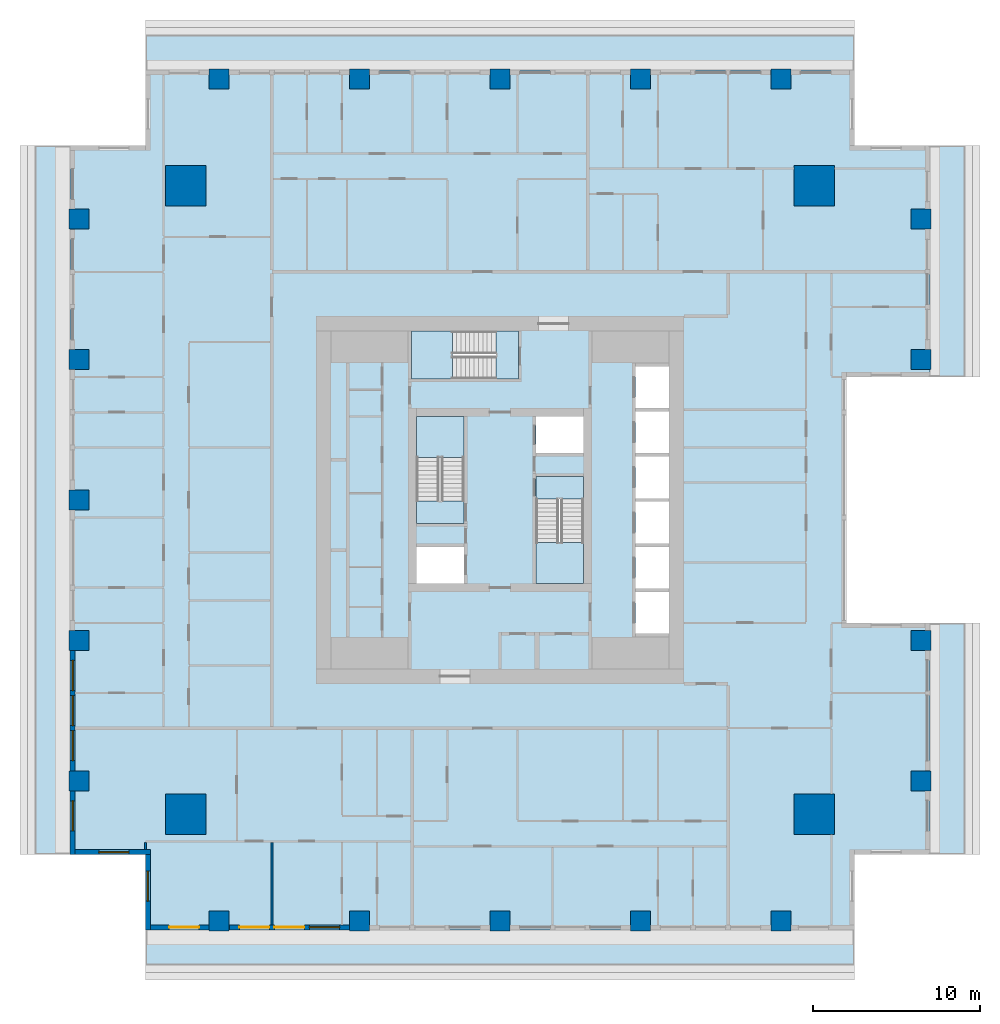
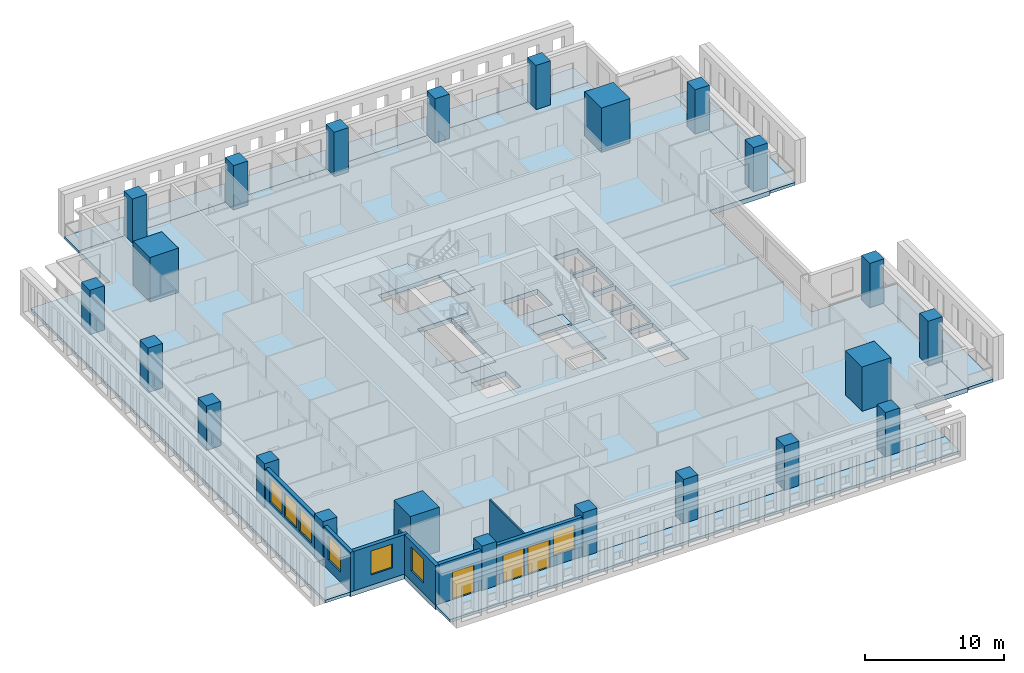
# One storey, part 1 of 16: 23 columns, 12 slabs, 8 walls, 7 windows, 3 doors, 10 openings, 3 elements without a shape of their own.
"""IFC4 building model written with IfcOpenShell, lengths in metres."""

from ifc_helpers import new_model, si_unit, direction, frame, frame_2d, origin, origin_2d, place, context, subcontext, project, spatial, polyline, rectangle, outline, extrude, material, layer, layer_set, material_profile, profile_set, type_object, element, fill, aggregate, save


model = new_model("IFC4")

# Units and contexts
model_context = context("Model", 3, precision=1e-05, world=origin(), true_north=direction((0.0, 1.0)))
body_context = subcontext(model_context, "Body", "Model", "MODEL_VIEW")
ifc_project = project(units=[si_unit("LENGTHUNIT", "METRE"), si_unit("AREAUNIT", "SQUARE_METRE"), si_unit("VOLUMEUNIT", "CUBIC_METRE"), si_unit("PLANEANGLEUNIT", "RADIAN"), si_unit("MASSUNIT", "GRAM", prefix="KILO")], contexts=[model_context])

# Site, building, storey
site_placement = place(None, origin())
site = spatial("IfcSite", under=ifc_project, at=site_placement, CompositionType="ELEMENT")
building_placement = place(site_placement, origin())
building = spatial("IfcBuilding", under=site, at=building_placement, Name="Khepri Terraces", CompositionType="ELEMENT")
storey_placement = place(building_placement, frame((0.0, 0.0, 207.89990234375)))
storey = spatial("IfcBuildingStorey", under=building, at=storey_placement, Name="L49", CompositionType="ELEMENT", Elevation=207.89990234375)

# Columns
ifc_material_1 = material(Name="Concrete C50/60", Category="concrete")
ifc_material_profile_1 = material_profile(ifc_material_1, rectangle(XDim=2.39990234375, YDim=2.39990234375, at=origin_2d()), Name="Concrete C50/60", Category="concrete")
ifc_profile_set_1 = profile_set([ifc_material_profile_1], Name="Concrete C50/60")
column_type_1 = type_object("IfcColumnType", Name="Mega column RC 2400x2400 C50/60", PredefinedType="COLUMN", material=ifc_profile_set_1)
for number, where, z_axis, x_axis, name in (
    (1, (18.800048828125, 18.800048828125, 0.0), (0.0, 0.0, 1.0), (1.0, 0.0, 0.0), "Mega column MEN L49"),
    (2, (18.800048828125, -18.800048828125, 0.0), (0.0, 0.0, 1.0), (1.0, 0.0, 0.0), "Mega column MES L49"),
    (3, (-18.800048828125, 18.800048828125, 0.0), (0.0, 0.0, 1.0), (1.0, 0.0, 0.0), "Mega column MWN L49"),
    (4, (-18.800048828125, -18.800048828125, 0.0), (0.0, 0.0, 1.0), (1.0, 0.0, 0.0), "Mega column MWS L49"),
):
    element("IfcColumn", number, at=place(storey_placement, frame(where, z_axis=z_axis, x_axis=x_axis)), inside=storey, type_object=column_type_1, Name=name, PredefinedType="COLUMN", context=body_context, shape_type="SweptSolid", body=[
        extrude(rectangle(XDim=2.39990234375, YDim=2.39990234375, at=origin_2d()), origin(), (0.0, 0.0, 1.0), 3.900146484375),
    ])
ifc_material_profile_2 = material_profile(ifc_material_1, rectangle(XDim=1.199951171875, YDim=1.199951171875, at=origin_2d()), Name="Concrete C50/60", Category="concrete")
ifc_profile_set_2 = profile_set([ifc_material_profile_2], Name="Concrete C50/60")
column_type_2 = type_object("IfcColumnType", Name="Tower column RC 1200x1200 C50/60", PredefinedType="COLUMN", material=ifc_profile_set_2)
for number, where, z_axis, x_axis, name in (
    (5, (25.199951171875, 8.39990234375, 0.0), (0.0, 0.0, 1.0), (1.0, 0.0, 0.0), "Perimeter column PE+084a L49"),
    (6, (25.199951171875, 16.800048828125, 0.0), (0.0, 0.0, 1.0), (1.0, 0.0, 0.0), "Perimeter column PE+168a L49"),
    (7, (25.199951171875, -8.39990234375, 0.0), (0.0, 0.0, 1.0), (1.0, 0.0, 0.0), "Perimeter column PE-084a L49"),
    (8, (25.199951171875, -16.800048828125, 0.0), (0.0, 0.0, 1.0), (1.0, 0.0, 0.0), "Perimeter column PE-168a L49"),
    (9, (0.0, 25.199951171875, 0.0), (0.0, 0.0, 1.0), (1.0, 0.0, 0.0), "Perimeter column PN+000b L49"),
    (10, (-8.39990234375, 25.199951171875, 0.0), (0.0, 0.0, 1.0), (1.0, 0.0, 0.0), "Perimeter column PN+084b L49"),
    (11, (-16.800048828125, 25.199951171875, 0.0), (0.0, 0.0, 1.0), (1.0, 0.0, 0.0), "Perimeter column PN+168a L49"),
    (12, (8.39990234375, 25.199951171875, 0.0), (0.0, 0.0, 1.0), (1.0, 0.0, 0.0), "Perimeter column PN-084b L49"),
    (13, (16.800048828125, 25.199951171875, 0.0), (0.0, 0.0, 1.0), (1.0, 0.0, 0.0), "Perimeter column PN-168a L49"),
    (14, (0.0, -25.199951171875, 0.0), (0.0, 0.0, 1.0), (1.0, 0.0, 0.0), "Perimeter column PS+000b L49"),
    (15, (8.39990234375, -25.199951171875, 0.0), (0.0, 0.0, 1.0), (1.0, 0.0, 0.0), "Perimeter column PS+084b L49"),
    (16, (16.800048828125, -25.199951171875, 0.0), (0.0, 0.0, 1.0), (1.0, 0.0, 0.0), "Perimeter column PS+168a L49"),
    (17, (-8.39990234375, -25.199951171875, 0.0), (0.0, 0.0, 1.0), (1.0, 0.0, 0.0), "Perimeter column PS-084b L49"),
    (18, (-16.800048828125, -25.199951171875, 0.0), (0.0, 0.0, 1.0), (1.0, 0.0, 0.0), "Perimeter column PS-168a L49"),
    (19, (-25.199951171875, 0.0, 0.0), (0.0, 0.0, 1.0), (1.0, 0.0, 0.0), "Perimeter column PW+000b L49"),
    (20, (-25.199951171875, -8.39990234375, 0.0), (0.0, 0.0, 1.0), (1.0, 0.0, 0.0), "Perimeter column PW+084b L49"),
    (21, (-25.199951171875, -16.800048828125, 0.0), (0.0, 0.0, 1.0), (1.0, 0.0, 0.0), "Perimeter column PW+168a L49"),
    (22, (-25.199951171875, 8.39990234375, 0.0), (0.0, 0.0, 1.0), (1.0, 0.0, 0.0), "Perimeter column PW-084b L49"),
    (23, (-25.199951171875, 16.800048828125, 0.0), (0.0, 0.0, 1.0), (1.0, 0.0, 0.0), "Perimeter column PW-168a L49"),
):
    element("IfcColumn", number, at=place(storey_placement, frame(where, z_axis=z_axis, x_axis=x_axis)), inside=storey, type_object=column_type_2, Name=name, PredefinedType="COLUMN", context=body_context, shape_type="SweptSolid", body=[
        extrude(rectangle(XDim=1.199951171875, YDim=1.199951171875, at=origin_2d()), origin(), (0.0, 0.0, 1.0), 3.900146484375),
    ])

# Slabs
ifc_material_2 = material(Name="Concrete C40/50", Category="concrete")
ifc_layer_1 = layer(ifc_material_2, 0.419921875, Name="Concrete C40/50", Category="concrete")
ifc_layer_set_1 = layer_set([ifc_layer_1], Name="Concrete C40/50")
slab_type_1 = type_object("IfcSlabType", Name="Flat plate 420", PredefinedType="FLOOR", material=ifc_layer_set_1)
slab_1_placement = place(storey_placement, frame((0.0, 0.0, -0.419921875)))
element("IfcSlab", 24, at=slab_1_placement, inside=storey, type_object=slab_type_1, Name="Floor slab F01 L49", PredefinedType="FLOOR", context=body_context, shape_type="SweptSolid", body=[
    extrude(outline(polyline([(25.719970703125, 7.35009765625), (20.719970703125, 7.35009765625), (20.719970703125, -7.35009765625), (25.719970703125, -7.35009765625), (25.719970703125, -21.219970703125), (21.219970703125, -21.219970703125), (21.219970703125, -25.719970703125), (-21.219970703125, -25.719970703125), (-21.219970703125, -21.219970703125), (-25.719970703125, -21.219970703125), (-25.719970703125, 21.219970703125), (-21.219970703125, 21.219970703125), (-21.219970703125, 25.719970703125), (21.219970703125, 25.719970703125), (21.219970703125, 21.219970703125), (25.719970703125, 21.219970703125), (25.719970703125, 7.35009765625)]), holes=[polyline([(2.14990234375, 2.800048828125), (5.0, 2.800048828125), (5.0, 5.0), (2.14990234375, 5.0), (2.14990234375, 2.800048828125)]), polyline([(-5.0, -2.800048828125), (-5.0, -5.0), (-2.14990234375, -5.0), (-2.14990234375, -2.800048828125), (-5.0, -2.800048828125)]), polyline([(10.10009765625, -5.5), (8.10009765625, -5.5), (8.10009765625, -8.0), (10.10009765625, -8.0), (10.10009765625, -5.5)]), polyline([(10.10009765625, -5.300048828125), (10.10009765625, -2.800048828125), (8.10009765625, -2.800048828125), (8.10009765625, -5.300048828125), (10.10009765625, -5.300048828125)]), polyline([(8.10009765625, -2.60009765625), (10.10009765625, -2.60009765625), (10.10009765625, -0.10009765625), (8.10009765625, -0.10009765625), (8.10009765625, -2.60009765625)]), polyline([(8.10009765625, 2.60009765625), (8.10009765625, 0.10009765625), (10.10009765625, 0.10009765625), (10.10009765625, 2.60009765625), (8.10009765625, 2.60009765625)]), polyline([(10.10009765625, 5.300048828125), (8.10009765625, 5.300048828125), (8.10009765625, 2.800048828125), (10.10009765625, 2.800048828125), (10.10009765625, 5.300048828125)]), polyline([(10.10009765625, 5.5), (10.10009765625, 8.0), (8.10009765625, 8.0), (8.10009765625, 5.5), (10.10009765625, 5.5)]), polyline([(-5.0, -1.39990234375), (-2.14990234375, -1.39990234375), (-2.14990234375, 5.0), (-5.0, 5.0), (-5.0, -1.39990234375)]), polyline([(5.0, -5.0), (5.0, 1.39990234375), (2.14990234375, 1.39990234375), (2.14990234375, -5.0), (5.0, -5.0)]), polyline([(-5.300048828125, 10.10009765625), (-5.300048828125, 7.25), (1.10009765625, 7.25), (1.10009765625, 10.10009765625), (-5.300048828125, 10.10009765625)])]), origin(), (0.0, 0.0, 1.0), 0.419921875),
])
ifc_material_3 = material(Name="Precast concrete C50/60 warm stone", Category="masonry")
ifc_layer_2 = layer(ifc_material_3, 0.25, Name="Precast concrete C50/60 warm stone", Category="masonry")
ifc_layer_set_2 = layer_set([ifc_layer_2], Name="Precast concrete C50/60 warm stone")
slab_type_2 = type_object("IfcSlabType", Name="SLB-BALCONY-250", PredefinedType="FLOOR", material=ifc_layer_set_2)
slab_2_placement = place(storey_placement, frame((0.0, 0.0, -0.25)))
element("IfcSlab", 25, at=slab_2_placement, inside=storey, type_object=slab_type_2, Name="Balcony slab L49 S", PredefinedType="FLOOR", context=body_context, shape_type="SweptSolid", body=[
    extrude(outline(polyline([(-17.39990234375, -25.719970703125), (-21.219970703125, -25.719970703125), (-21.219970703125, -27.820068359375), (21.219970703125, -27.820068359375), (21.219970703125, -25.719970703125), (17.39990234375, -25.719970703125), (17.39990234375, -25.800048828125), (16.199951171875, -25.800048828125), (16.199951171875, -25.719970703125), (9.0, -25.719970703125), (9.0, -25.800048828125), (7.800048828125, -25.800048828125), (7.800048828125, -25.719970703125), (0.60009765625, -25.719970703125), (0.60009765625, -25.800048828125), (-0.60009765625, -25.800048828125), (-0.60009765625, -25.719970703125), (-7.800048828125, -25.719970703125), (-7.800048828125, -25.800048828125), (-9.0, -25.800048828125), (-9.0, -25.719970703125), (-16.199951171875, -25.719970703125), (-16.199951171875, -25.800048828125), (-17.39990234375, -25.800048828125), (-17.39990234375, -25.719970703125)])), origin(), (0.0, 0.0, 1.0), 0.25),
])
slab_3_placement = place(storey_placement, frame((0.0, 0.0, -0.25)))
element("IfcSlab", 26, at=slab_3_placement, inside=storey, type_object=slab_type_2, Name="Balcony slab L49 E", PredefinedType="FLOOR", context=body_context, shape_type="SweptSolid", body=[
    extrude(outline(polyline([(25.719970703125, -17.39990234375), (25.719970703125, -21.219970703125), (27.820068359375, -21.219970703125), (27.820068359375, -7.35009765625), (25.719970703125, -7.35009765625), (25.719970703125, -7.800048828125), (25.800048828125, -7.800048828125), (25.800048828125, -9.0), (25.719970703125, -9.0), (25.719970703125, -16.199951171875), (25.800048828125, -16.199951171875), (25.800048828125, -17.39990234375), (25.719970703125, -17.39990234375)])), origin(), (0.0, 0.0, 1.0), 0.25),
])
slab_4_placement = place(storey_placement, frame((0.0, 0.0, -0.25)))
element("IfcSlab", 27, at=slab_4_placement, inside=storey, type_object=slab_type_2, Name="Balcony slab L49 E", PredefinedType="FLOOR", context=body_context, shape_type="SweptSolid", body=[
    extrude(outline(polyline([(25.719970703125, 7.800048828125), (25.719970703125, 7.35009765625), (27.820068359375, 7.35009765625), (27.820068359375, 21.219970703125), (25.719970703125, 21.219970703125), (25.719970703125, 17.39990234375), (25.800048828125, 17.39990234375), (25.800048828125, 16.199951171875), (25.719970703125, 16.199951171875), (25.719970703125, 9.0), (25.800048828125, 9.0), (25.800048828125, 7.800048828125), (25.719970703125, 7.800048828125)])), origin(), (0.0, 0.0, 1.0), 0.25),
])
slab_5_placement = place(storey_placement, frame((0.0, 0.0, -0.25)))
element("IfcSlab", 28, at=slab_5_placement, inside=storey, type_object=slab_type_2, Name="Balcony slab L49 N", PredefinedType="FLOOR", context=body_context, shape_type="SweptSolid", body=[
    extrude(outline(polyline([(17.39990234375, 25.719970703125), (21.219970703125, 25.719970703125), (21.219970703125, 27.820068359375), (-21.219970703125, 27.820068359375), (-21.219970703125, 25.719970703125), (-17.39990234375, 25.719970703125), (-17.39990234375, 25.800048828125), (-16.199951171875, 25.800048828125), (-16.199951171875, 25.719970703125), (-9.0, 25.719970703125), (-9.0, 25.800048828125), (-7.800048828125, 25.800048828125), (-7.800048828125, 25.719970703125), (-0.60009765625, 25.719970703125), (-0.60009765625, 25.800048828125), (0.60009765625, 25.800048828125), (0.60009765625, 25.719970703125), (7.800048828125, 25.719970703125), (7.800048828125, 25.800048828125), (9.0, 25.800048828125), (9.0, 25.719970703125), (16.199951171875, 25.719970703125), (16.199951171875, 25.800048828125), (17.39990234375, 25.800048828125), (17.39990234375, 25.719970703125)])), origin(), (0.0, 0.0, 1.0), 0.25),
])
slab_6_placement = place(storey_placement, frame((0.0, 0.0, -0.25)))
element("IfcSlab", 29, at=slab_6_placement, inside=storey, type_object=slab_type_2, Name="Balcony slab L49 W", PredefinedType="FLOOR", context=body_context, shape_type="SweptSolid", body=[
    extrude(outline(polyline([(-25.719970703125, 17.39990234375), (-25.719970703125, 21.219970703125), (-27.820068359375, 21.219970703125), (-27.820068359375, -21.219970703125), (-25.719970703125, -21.219970703125), (-25.719970703125, -17.39990234375), (-25.800048828125, -17.39990234375), (-25.800048828125, -16.199951171875), (-25.719970703125, -16.199951171875), (-25.719970703125, -9.0), (-25.800048828125, -9.0), (-25.800048828125, -7.800048828125), (-25.719970703125, -7.800048828125), (-25.719970703125, -0.60009765625), (-25.800048828125, -0.60009765625), (-25.800048828125, 0.60009765625), (-25.719970703125, 0.60009765625), (-25.719970703125, 7.800048828125), (-25.800048828125, 7.800048828125), (-25.800048828125, 9.0), (-25.719970703125, 9.0), (-25.719970703125, 16.199951171875), (-25.800048828125, 16.199951171875), (-25.800048828125, 17.39990234375), (-25.719970703125, 17.39990234375)])), origin(), (0.0, 0.0, 1.0), 0.25),
])

# Stair, slabs
stair_type = type_object("IfcStairType", Name="STAIR-RC-22R", PredefinedType="HALF_TURN_STAIR", material=ifc_material_2)
stair_1_placement = place(storey_placement, origin())
stair_1 = element("IfcStair", 30, at=stair_1_placement, inside=storey, type_object=stair_type, Name="L49 Exit Stair ST-1", PredefinedType="HALF_TURN_STAIR")
ifc_layer_3 = layer(ifc_material_2, 0.199951171875, Name="Concrete C40/50", Category="concrete")
ifc_layer_set_3 = layer_set([ifc_layer_3], Name="Concrete C40/50")
slab_type_3 = type_object("IfcSlabType", Name="SLB-CORE-LANDING", PredefinedType="LANDING", material=ifc_layer_set_3)
slab_7_placement = place(storey_placement, frame((0.0, 0.0, -0.199951171875)))
slab_7 = element("IfcSlab", 31, at=slab_7_placement, type_object=slab_type_3, Name="ST-1 landing 1", PredefinedType="LANDING", context=body_context, shape_type="SweptSolid", body=[
    extrude(outline(polyline([(-2.14990234375, -1.39990234375), (-2.14990234375, -0.050048828125), (-5.0, -0.050048828125), (-5.0, -1.39990234375), (-2.14990234375, -1.39990234375)])), origin(), (0.0, 0.0, 1.0), 0.199951171875),
])
slab_8_placement = place(storey_placement, frame((0.0, 0.0, 1.75)))
slab_8 = element("IfcSlab", 32, at=slab_8_placement, type_object=slab_type_3, Name="ST-1 landing 2", PredefinedType="LANDING", context=body_context, shape_type="SweptSolid", body=[
    extrude(outline(polyline([(-2.14990234375, 2.550048828125), (-2.14990234375, 5.0), (-5.0, 5.0), (-5.0, 2.550048828125), (-2.14990234375, 2.550048828125)])), origin(), (0.0, 0.0, 1.0), 0.2001953125),
])
aggregate(stair_1, [slab_7, slab_8])

stair_2_placement = place(storey_placement, origin())
stair_2 = element("IfcStair", 33, at=stair_2_placement, inside=storey, type_object=stair_type, Name="L49 Exit Stair ST-2", PredefinedType="HALF_TURN_STAIR")
slab_9_placement = place(storey_placement, frame((0.0, 0.0, -0.199951171875)))
slab_9 = element("IfcSlab", 34, at=slab_9_placement, type_object=slab_type_3, Name="ST-2 landing 1", PredefinedType="LANDING", context=body_context, shape_type="SweptSolid", body=[
    extrude(outline(polyline([(2.14990234375, 1.39990234375), (2.14990234375, 0.050048828125), (5.0, 0.050048828125), (5.0, 1.39990234375), (2.14990234375, 1.39990234375)])), origin(), (0.0, 0.0, 1.0), 0.199951171875),
])
slab_10_placement = place(storey_placement, frame((0.0, 0.0, 1.75)))
slab_10 = element("IfcSlab", 35, at=slab_10_placement, type_object=slab_type_3, Name="ST-2 landing 2", PredefinedType="LANDING", context=body_context, shape_type="SweptSolid", body=[
    extrude(outline(polyline([(2.14990234375, -2.550048828125), (2.14990234375, -5.0), (5.0, -5.0), (5.0, -2.550048828125), (2.14990234375, -2.550048828125)])), origin(), (0.0, 0.0, 1.0), 0.2001953125),
])
aggregate(stair_2, [slab_9, slab_10])

stair_3_placement = place(storey_placement, origin())
stair_3 = element("IfcStair", 36, at=stair_3_placement, inside=storey, type_object=stair_type, Name="L49 Exit Stair ST-3", PredefinedType="HALF_TURN_STAIR")
slab_11_placement = place(storey_placement, frame((0.0, 0.0, -0.199951171875)))
slab_11 = element("IfcSlab", 37, at=slab_11_placement, type_object=slab_type_3, Name="ST-3 landing 1", PredefinedType="LANDING", context=body_context, shape_type="SweptSolid", body=[
    extrude(outline(polyline([(1.10009765625, 10.10009765625), (-0.25, 10.10009765625), (-0.25, 7.25), (1.10009765625, 7.25), (1.10009765625, 10.10009765625)])), origin(), (0.0, 0.0, 1.0), 0.199951171875),
])
slab_12_placement = place(storey_placement, frame((0.0, 0.0, 1.75)))
slab_12 = element("IfcSlab", 38, at=slab_12_placement, type_object=slab_type_3, Name="ST-3 landing 2", PredefinedType="LANDING", context=body_context, shape_type="SweptSolid", body=[
    extrude(outline(polyline([(-2.85009765625, 10.10009765625), (-5.300048828125, 10.10009765625), (-5.300048828125, 7.25), (-2.85009765625, 7.25), (-2.85009765625, 10.10009765625)])), origin(), (0.0, 0.0, 1.0), 0.2001953125),
])
aggregate(stair_3, [slab_11, slab_12])

# Wall, openings, windows
ifc_layer_4 = layer(ifc_material_3, 0.300048828125, Name="Precast concrete C50/60 warm stone", Category="masonry")
ifc_layer_set_4 = layer_set([ifc_layer_4], Name="Precast concrete C50/60 warm stone")
wall_type_1 = type_object("IfcWallType", Name="WL-EXT-PRECAST-300", PredefinedType="STANDARD", material=ifc_layer_set_4)
wall_1_placement = place(storey_placement, frame((-25.570068359375, -9.0, 0.0), z_axis=(0.0, 0.0, 1.0), x_axis=(0.0, -1.0, 0.0)))
wall_1 = element("IfcWall", 39, at=wall_1_placement, inside=storey, type_object=wall_type_1, Name="External wall L49 W", PredefinedType="STANDARD", context=body_context, shape_type="SweptSolid", body=[
    extrude(rectangle(XDim=7.199951171875, YDim=0.300048828125, at=frame_2d((3.60009765625, 0.0))), origin(), (0.0, 0.0, 1.0), 3.47998046875),
])
opening_1_placement = place(wall_1_placement, frame((0.60009765625, 0.0, 0.89990234375)))
opening_1 = element("IfcOpeningElement", 40, at=opening_1_placement, cuts=wall_1, Name="Opening W1", PredefinedType="OPENING", context=body_context, shape_type="SweptSolid", body=[
    extrude(rectangle(XDim=1.800048828125, YDim=2.10009765625, at=frame_2d((0.89990234375, 1.050048828125))), frame((0.0, 0.16015625, 0.0), z_axis=(0.0, -1.0, 0.0), x_axis=(1.0, 0.0, 0.0)), (0.0, 0.0, 1.0), 0.320068359375),
])
opening_2_placement = place(wall_1_placement, frame((2.699951171875, 0.0, 0.89990234375)))
opening_2 = element("IfcOpeningElement", 41, at=opening_2_placement, cuts=wall_1, Name="Opening W1", PredefinedType="OPENING", context=body_context, shape_type="SweptSolid", body=[
    extrude(rectangle(XDim=1.800048828125, YDim=2.10009765625, at=frame_2d((0.89990234375, 1.050048828125))), frame((0.0, 0.16015625, 0.0), z_axis=(0.0, -1.0, 0.0), x_axis=(1.0, 0.0, 0.0)), (0.0, 0.0, 1.0), 0.320068359375),
])
opening_3_placement = place(wall_1_placement, frame((4.800048828125, 0.0, 0.89990234375)))
opening_3 = element("IfcOpeningElement", 42, at=opening_3_placement, cuts=wall_1, Name="Opening W1", PredefinedType="OPENING", context=body_context, shape_type="SweptSolid", body=[
    extrude(rectangle(XDim=1.800048828125, YDim=2.10009765625, at=frame_2d((0.89990234375, 1.050048828125))), frame((0.0, 0.16015625, 0.0), z_axis=(0.0, -1.0, 0.0), x_axis=(1.0, 0.0, 0.0)), (0.0, 0.0, 1.0), 0.320068359375),
])
ifc_material_4 = material(Name="Clear glass", Category="glass")
window_type = type_object("IfcWindowType", Name="WIN-RES-1800x2100", PartitioningType="SINGLE_PANEL", PredefinedType="WINDOW", material=ifc_material_4)
window_1_placement = place(opening_1_placement, origin())
window_1 = element("IfcWindow", 43, at=window_1_placement, inside=storey, type_object=window_type, Name="Window L49 W", OverallHeight=2.10009765625, OverallWidth=1.800048828125, PartitioningType="SINGLE_PANEL", PredefinedType="WINDOW", context=body_context, shape_type="SweptSolid", body=[
    extrude(rectangle(XDim=1.800048828125, YDim=2.10009765625, at=frame_2d((0.89990234375, 1.050048828125))), frame((0.0, 0.030029296875, 0.0), z_axis=(0.0, -1.0, 0.0), x_axis=(1.0, 0.0, 0.0)), (0.0, 0.0, 1.0), 0.06005859375),
])
fill(opening_1, window_1)
window_2_placement = place(opening_2_placement, origin())
window_2 = element("IfcWindow", 44, at=window_2_placement, inside=storey, type_object=window_type, Name="Window L49 W", OverallHeight=2.10009765625, OverallWidth=1.800048828125, PartitioningType="SINGLE_PANEL", PredefinedType="WINDOW", context=body_context, shape_type="SweptSolid", body=[
    extrude(rectangle(XDim=1.800048828125, YDim=2.10009765625, at=frame_2d((0.89990234375, 1.050048828125))), frame((0.0, 0.030029296875, 0.0), z_axis=(0.0, -1.0, 0.0), x_axis=(1.0, 0.0, 0.0)), (0.0, 0.0, 1.0), 0.06005859375),
])
fill(opening_2, window_2)
window_3_placement = place(opening_3_placement, origin())
window_3 = element("IfcWindow", 45, at=window_3_placement, inside=storey, type_object=window_type, Name="Window L49 W", OverallHeight=2.10009765625, OverallWidth=1.800048828125, PartitioningType="SINGLE_PANEL", PredefinedType="WINDOW", context=body_context, shape_type="SweptSolid", body=[
    extrude(rectangle(XDim=1.800048828125, YDim=2.10009765625, at=frame_2d((0.89990234375, 1.050048828125))), frame((0.0, 0.030029296875, 0.0), z_axis=(0.0, -1.0, 0.0), x_axis=(1.0, 0.0, 0.0)), (0.0, 0.0, 1.0), 0.06005859375),
])
fill(opening_3, window_3)

# Wall, opening, window
wall_2_placement = place(storey_placement, frame((-25.570068359375, -17.39990234375, 0.0), z_axis=(0.0, 0.0, 1.0), x_axis=(0.0, -1.0, 0.0)))
wall_2 = element("IfcWall", 46, at=wall_2_placement, inside=storey, type_object=wall_type_1, Name="External wall L49 W", PredefinedType="STANDARD", context=body_context, shape_type="SweptSolid", body=[
    extrude(rectangle(XDim=3.820068359375, YDim=0.300048828125, at=frame_2d((1.91015625, 0.0))), origin(), (0.0, 0.0, 1.0), 3.47998046875),
])
opening_4_placement = place(wall_2_placement, frame((0.60009765625, 0.0, 0.89990234375)))
opening_4 = element("IfcOpeningElement", 47, at=opening_4_placement, cuts=wall_2, Name="Opening W1", PredefinedType="OPENING", context=body_context, shape_type="SweptSolid", body=[
    extrude(rectangle(XDim=1.800048828125, YDim=2.10009765625, at=frame_2d((0.89990234375, 1.050048828125))), frame((0.0, 0.16015625, 0.0), z_axis=(0.0, -1.0, 0.0), x_axis=(1.0, 0.0, 0.0)), (0.0, 0.0, 1.0), 0.320068359375),
])
window_4_placement = place(opening_4_placement, origin())
window_4 = element("IfcWindow", 48, at=window_4_placement, inside=storey, type_object=window_type, Name="Window L49 W", OverallHeight=2.10009765625, OverallWidth=1.800048828125, PartitioningType="SINGLE_PANEL", PredefinedType="WINDOW", context=body_context, shape_type="SweptSolid", body=[
    extrude(rectangle(XDim=1.800048828125, YDim=2.10009765625, at=frame_2d((0.89990234375, 1.050048828125))), frame((0.0, 0.030029296875, 0.0), z_axis=(0.0, -1.0, 0.0), x_axis=(1.0, 0.0, 0.0)), (0.0, 0.0, 1.0), 0.06005859375),
])
fill(opening_4, window_4)

wall_3_placement = place(storey_placement, frame((-25.419921875, -21.070068359375, 0.0), z_axis=(0.0, 0.0, 1.0), x_axis=(1.0, 0.0, 0.0)))
wall_3 = element("IfcWall", 49, at=wall_3_placement, inside=storey, type_object=wall_type_1, Name="External wall L49 S", PredefinedType="STANDARD", context=body_context, shape_type="SweptSolid", body=[
    extrude(rectangle(XDim=4.5, YDim=0.300048828125, at=frame_2d((2.25, 0.0))), origin(), (0.0, 0.0, 1.0), 3.47998046875),
])
opening_5_placement = place(wall_3_placement, frame((1.419921875, 0.0, 0.89990234375)))
opening_5 = element("IfcOpeningElement", 50, at=opening_5_placement, cuts=wall_3, Name="Opening W1", PredefinedType="OPENING", context=body_context, shape_type="SweptSolid", body=[
    extrude(rectangle(XDim=1.800048828125, YDim=2.10009765625, at=frame_2d((0.89990234375, 1.050048828125))), frame((0.0, 0.16015625, 0.0), z_axis=(0.0, -1.0, 0.0), x_axis=(1.0, 0.0, 0.0)), (0.0, 0.0, 1.0), 0.320068359375),
])
window_5_placement = place(opening_5_placement, origin())
window_5 = element("IfcWindow", 51, at=window_5_placement, inside=storey, type_object=window_type, Name="Window L49 S", OverallHeight=2.10009765625, OverallWidth=1.800048828125, PartitioningType="SINGLE_PANEL", PredefinedType="WINDOW", context=body_context, shape_type="SweptSolid", body=[
    extrude(rectangle(XDim=1.800048828125, YDim=2.10009765625, at=frame_2d((0.89990234375, 1.050048828125))), frame((0.0, 0.030029296875, 0.0), z_axis=(0.0, -1.0, 0.0), x_axis=(1.0, 0.0, 0.0)), (0.0, 0.0, 1.0), 0.06005859375),
])
fill(opening_5, window_5)

wall_4_placement = place(storey_placement, frame((-21.070068359375, -21.219970703125, 0.0), z_axis=(0.0, 0.0, 1.0), x_axis=(0.0, -1.0, 0.0)))
wall_4 = element("IfcWall", 52, at=wall_4_placement, inside=storey, type_object=wall_type_1, Name="External wall L49 W", PredefinedType="STANDARD", context=body_context, shape_type="SweptSolid", body=[
    extrude(rectangle(XDim=4.5, YDim=0.300048828125, at=frame_2d((2.25, 0.0))), origin(), (0.0, 0.0, 1.0), 3.47998046875),
])
opening_6_placement = place(wall_4_placement, frame((0.97998046875, 0.0, 0.89990234375)))
opening_6 = element("IfcOpeningElement", 53, at=opening_6_placement, cuts=wall_4, Name="Opening W1", PredefinedType="OPENING", context=body_context, shape_type="SweptSolid", body=[
    extrude(rectangle(XDim=1.800048828125, YDim=2.10009765625, at=frame_2d((0.89990234375, 1.050048828125))), frame((0.0, 0.16015625, 0.0), z_axis=(0.0, -1.0, 0.0), x_axis=(1.0, 0.0, 0.0)), (0.0, 0.0, 1.0), 0.320068359375),
])
window_6_placement = place(opening_6_placement, origin())
window_6 = element("IfcWindow", 54, at=window_6_placement, inside=storey, type_object=window_type, Name="Window L49 W", OverallHeight=2.10009765625, OverallWidth=1.800048828125, PartitioningType="SINGLE_PANEL", PredefinedType="WINDOW", context=body_context, shape_type="SweptSolid", body=[
    extrude(rectangle(XDim=1.800048828125, YDim=2.10009765625, at=frame_2d((0.89990234375, 1.050048828125))), frame((0.0, 0.030029296875, 0.0), z_axis=(0.0, -1.0, 0.0), x_axis=(1.0, 0.0, 0.0)), (0.0, 0.0, 1.0), 0.06005859375),
])
fill(opening_6, window_6)

# Wall, opening, door
wall_5_placement = place(storey_placement, frame((-20.919921875, -25.570068359375, 0.0), z_axis=(0.0, 0.0, 1.0), x_axis=(1.0, 0.0, 0.0)))
wall_5 = element("IfcWall", 55, at=wall_5_placement, inside=storey, type_object=wall_type_1, Name="External wall L49 S", PredefinedType="STANDARD", context=body_context, shape_type="SweptSolid", body=[
    extrude(rectangle(XDim=3.52001953125, YDim=0.300048828125, at=frame_2d((1.760009765625, 0.0))), origin(), (0.0, 0.0, 1.0), 3.47998046875),
])
opening_7_placement = place(wall_5_placement, frame((1.1201171875, 0.0, 0.0)))
opening_7 = element("IfcOpeningElement", 56, at=opening_7_placement, cuts=wall_5, Name="Opening ED-L49-13", PredefinedType="OPENING", context=body_context, shape_type="SweptSolid", body=[
    extrude(rectangle(XDim=1.800048828125, YDim=2.39990234375, at=frame_2d((0.89990234375, 1.199951171875))), frame((0.0, 0.16015625, 0.0), z_axis=(0.0, -1.0, 0.0), x_axis=(1.0, 0.0, 0.0)), (0.0, 0.0, 1.0), 0.320068359375),
])
ifc_material_5 = material(Name="Anodised aluminium bronze glazed door", Category="aluminium")
door_type = type_object("IfcDoorType", Name="DR-BAL-SLIDE-1800x2400", OperationType="NOTDEFINED", PredefinedType="DOOR", material=ifc_material_5)
door_1_placement = place(opening_7_placement, origin())
door_1 = element("IfcDoor", 57, at=door_1_placement, inside=storey, type_object=door_type, Name="Balcony door L49 S", OperationType="SLIDING_TO_RIGHT", OverallHeight=2.39990234375, OverallWidth=1.800048828125, PredefinedType="DOOR", context=body_context, shape_type="SweptSolid", body=[
    extrude(rectangle(XDim=1.800048828125, YDim=2.39990234375, at=frame_2d((0.89990234375, 1.199951171875))), frame((0.0, 0.02490234375, 0.0), z_axis=(0.0, -1.0, 0.0), x_axis=(1.0, 0.0, 0.0)), (0.0, 0.0, 1.0), 0.050048828125),
])
fill(opening_7, door_1)

# Wall, openings, doors, window
wall_6_placement = place(storey_placement, frame((-16.199951171875, -25.570068359375, 0.0), z_axis=(0.0, 0.0, 1.0), x_axis=(1.0, 0.0, 0.0)))
wall_6 = element("IfcWall", 58, at=wall_6_placement, inside=storey, type_object=wall_type_1, Name="External wall L49 S", PredefinedType="STANDARD", context=body_context, shape_type="SweptSolid", body=[
    extrude(rectangle(XDim=7.199951171875, YDim=0.300048828125, at=frame_2d((3.60009765625, 0.0))), origin(), (0.0, 0.0, 1.0), 3.47998046875),
])
opening_8_placement = place(wall_6_placement, frame((0.60009765625, 0.0, 0.0)))
opening_8 = element("IfcOpeningElement", 59, at=opening_8_placement, cuts=wall_6, Name="Opening ED-L49-14", PredefinedType="OPENING", context=body_context, shape_type="SweptSolid", body=[
    extrude(rectangle(XDim=1.800048828125, YDim=2.39990234375, at=frame_2d((0.89990234375, 1.199951171875))), frame((0.0, 0.16015625, 0.0), z_axis=(0.0, -1.0, 0.0), x_axis=(1.0, 0.0, 0.0)), (0.0, 0.0, 1.0), 0.320068359375),
])
opening_9_placement = place(wall_6_placement, frame((2.699951171875, 0.0, 0.0)))
opening_9 = element("IfcOpeningElement", 60, at=opening_9_placement, cuts=wall_6, Name="Opening ED-L49-15", PredefinedType="OPENING", context=body_context, shape_type="SweptSolid", body=[
    extrude(rectangle(XDim=1.800048828125, YDim=2.39990234375, at=frame_2d((0.89990234375, 1.199951171875))), frame((0.0, 0.16015625, 0.0), z_axis=(0.0, -1.0, 0.0), x_axis=(1.0, 0.0, 0.0)), (0.0, 0.0, 1.0), 0.320068359375),
])
opening_10_placement = place(wall_6_placement, frame((4.800048828125, 0.0, 0.89990234375)))
opening_10 = element("IfcOpeningElement", 61, at=opening_10_placement, cuts=wall_6, Name="Opening W1", PredefinedType="OPENING", context=body_context, shape_type="SweptSolid", body=[
    extrude(rectangle(XDim=1.800048828125, YDim=2.10009765625, at=frame_2d((0.89990234375, 1.050048828125))), frame((0.0, 0.16015625, 0.0), z_axis=(0.0, -1.0, 0.0), x_axis=(1.0, 0.0, 0.0)), (0.0, 0.0, 1.0), 0.320068359375),
])
door_2_placement = place(opening_8_placement, origin())
door_2 = element("IfcDoor", 62, at=door_2_placement, inside=storey, type_object=door_type, Name="Balcony door L49 S", OperationType="SLIDING_TO_LEFT", OverallHeight=2.39990234375, OverallWidth=1.800048828125, PredefinedType="DOOR", context=body_context, shape_type="SweptSolid", body=[
    extrude(rectangle(XDim=1.800048828125, YDim=2.39990234375, at=frame_2d((0.89990234375, 1.199951171875))), frame((0.0, 0.02490234375, 0.0), z_axis=(0.0, -1.0, 0.0), x_axis=(1.0, 0.0, 0.0)), (0.0, 0.0, 1.0), 0.050048828125),
])
fill(opening_8, door_2)
door_3_placement = place(opening_9_placement, origin())
door_3 = element("IfcDoor", 63, at=door_3_placement, inside=storey, type_object=door_type, Name="Balcony door L49 S", OperationType="SLIDING_TO_RIGHT", OverallHeight=2.39990234375, OverallWidth=1.800048828125, PredefinedType="DOOR", context=body_context, shape_type="SweptSolid", body=[
    extrude(rectangle(XDim=1.800048828125, YDim=2.39990234375, at=frame_2d((0.89990234375, 1.199951171875))), frame((0.0, 0.02490234375, 0.0), z_axis=(0.0, -1.0, 0.0), x_axis=(1.0, 0.0, 0.0)), (0.0, 0.0, 1.0), 0.050048828125),
])
fill(opening_9, door_3)
window_7_placement = place(opening_10_placement, origin())
window_7 = element("IfcWindow", 64, at=window_7_placement, inside=storey, type_object=window_type, Name="Window L49 S", OverallHeight=2.10009765625, OverallWidth=1.800048828125, PartitioningType="SINGLE_PANEL", PredefinedType="WINDOW", context=body_context, shape_type="SweptSolid", body=[
    extrude(rectangle(XDim=1.800048828125, YDim=2.10009765625, at=frame_2d((0.89990234375, 1.050048828125))), frame((0.0, 0.030029296875, 0.0), z_axis=(0.0, -1.0, 0.0), x_axis=(1.0, 0.0, 0.0)), (0.0, 0.0, 1.0), 0.06005859375),
])
fill(opening_10, window_7)

# Walls
ifc_material_6 = material(Name="Gypsum plasterboard partition")
ifc_layer_5 = layer(ifc_material_6, 0.1201171875, Name="Gypsum plasterboard partition")
ifc_layer_set_5 = layer_set([ifc_layer_5], Name="Gypsum plasterboard partition")
wall_type_2 = type_object("IfcWallType", Name="WL-PART-120", PredefinedType="PARTITIONING", material=ifc_layer_set_5)
wall_7_placement = place(storey_placement, frame((-13.64990234375, -25.419921875, 0.0), z_axis=(0.0, 0.0, 1.0), x_axis=(0.0, 1.0, 0.0)))
element("IfcWall", 65, at=wall_7_placement, inside=storey, type_object=wall_type_2, Name="Partition P-001 L49", PredefinedType="PARTITIONING", context=body_context, shape_type="SweptSolid", body=[
    extrude(rectangle(XDim=4.93994140625, YDim=0.1201171875, at=frame_2d((2.469970703125, 0.0))), origin(), (0.0, 0.0, 1.0), 3.47998046875),
])
wall_8_placement = place(storey_placement, frame((-21.218994140625, -20.9208984375, 0.0), z_axis=(0.0, 0.0, 1.0), x_axis=(0.0, 1.0, 0.0)))
element("IfcWall", 66, at=wall_8_placement, inside=storey, type_object=wall_type_2, Name="Partition P-010 L49", PredefinedType="PARTITIONING", context=body_context, shape_type="SweptSolid", body=[
    extrude(rectangle(XDim=0.44091796875, YDim=0.1201171875, at=frame_2d((0.220458984375, 0.0))), origin(), (0.0, 0.0, 1.0), 3.47998046875),
])

save(model, "model.ifc")
